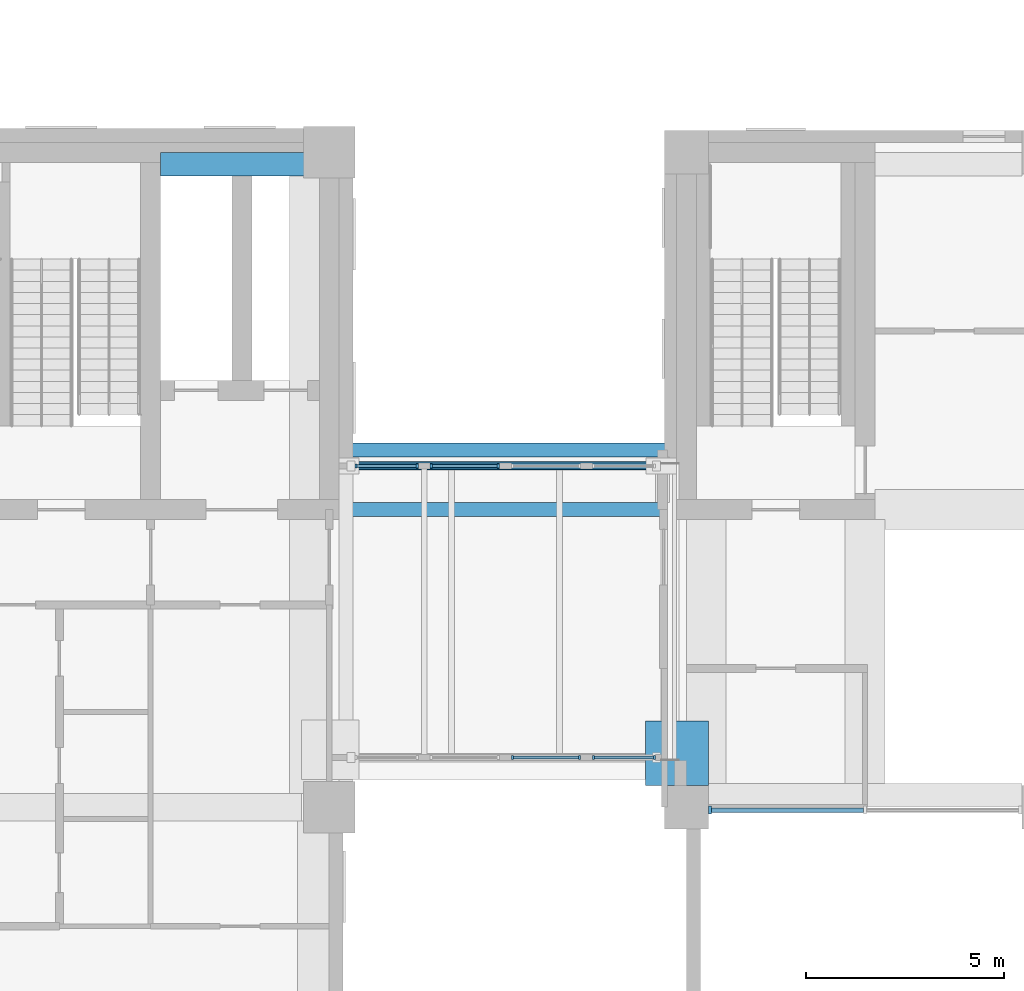
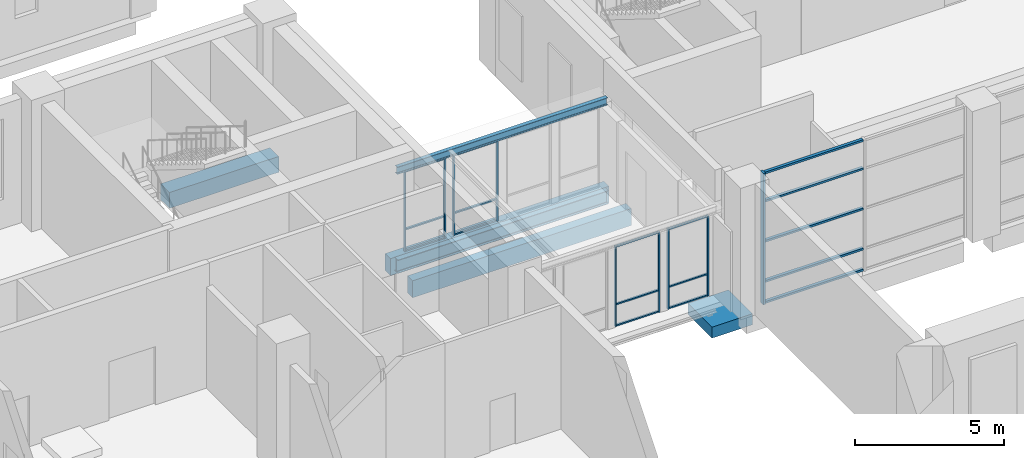
# One storey, part 4 of 52: 27 members, 5 beams, 5 elements without a shape of their own.
"""IFC4 building model written with IfcOpenShell, lengths in metres."""

from ifc_helpers import new_model, si_unit, direction, frame, origin, origin_2d, place, context, subcontext, project, spatial, rectangle, i_section, extrude, material, layer, layer_set, material_profile, profile_set, type_object, element, aggregate, save


model = new_model("IFC4")

# Units and contexts
model_context = context("Model", 3, precision=1e-05, world=origin(), true_north=direction((0.0, 1.0)))
body_context = subcontext(model_context, "Body", "Model", "MODEL_VIEW")
ifc_project = project(units=[si_unit("LENGTHUNIT", "METRE"), si_unit("AREAUNIT", "SQUARE_METRE"), si_unit("VOLUMEUNIT", "CUBIC_METRE"), si_unit("PLANEANGLEUNIT", "RADIAN"), si_unit("MASSUNIT", "GRAM", prefix="KILO")], contexts=[model_context])

# Site, building, storey
site_placement = place(None, origin())
site = spatial("IfcSite", under=ifc_project, at=site_placement, CompositionType="ELEMENT")
building_placement = place(site_placement, origin())
building = spatial("IfcBuilding", under=site, at=building_placement, Name="Aurelan Courthouse", CompositionType="ELEMENT")
storey_placement = place(building_placement, frame((0.0, 0.0, 6.60009765625)))
storey = spatial("IfcBuildingStorey", under=building, at=storey_placement, Name="L01", CompositionType="ELEMENT", Elevation=6.60009765625)

# Beam
ifc_material_1 = material(Name="Steel S355", Category="steel")
ifc_material_profile_1 = material_profile(ifc_material_1, i_section(OverallWidth=0.2099609375, OverallDepth=0.550048828125, WebThickness=0.010986328125, FlangeThickness=0.01708984375, FilletRadius=0.02392578125, at=origin_2d()), Name="IPE 550")
ifc_profile_set_1 = profile_set([ifc_material_profile_1], Name="Steel S355")
beam_type_1 = type_object("IfcBeamType", Name="Bridge girder IPE 550", PredefinedType="BEAM", material=ifc_profile_set_1)
beam_1_placement = place(storey_placement, frame((27.35009765625, 20.60009765625, -0.47509765625), z_axis=(1.0, 0.0, 0.0), x_axis=(0.0, 1.0, 0.0)))
element("IfcBeam", 1, at=beam_1_placement, inside=storey, type_object=beam_type_1, Name="Bridge girder BG-2", PredefinedType="BEAM", context=body_context, shape_type="SweptSolid", body=[
    extrude(i_section(OverallWidth=0.2099609375, OverallDepth=0.550048828125, WebThickness=0.010986328125, FlangeThickness=0.01708984375, FilletRadius=0.02392578125, at=origin_2d()), origin(), (0.0, 0.0, 1.0), 8.1748046875),
])

# Member
ifc_material_2 = material(Name="Concrete C50", Category="concrete")
member_type_1 = type_object("IfcMemberType", Name="Corbel 1575 x 1625 x 450", PredefinedType="USERDEFINED", material=ifc_material_2)
member_1_placement = place(storey_placement, frame((35.762451171875, 13.362548828125, -1.25), z_axis=(0.0, 0.0, 1.0), x_axis=(1.0, 0.0, 0.0)))
element("IfcMember", 2, at=member_1_placement, inside=storey, type_object=member_type_1, Name="Corbel CO-2", ObjectType="CORBEL", PredefinedType="USERDEFINED", context=body_context, shape_type="SweptSolid", body=[
    extrude(rectangle(XDim=1.574951171875, YDim=1.625, at=origin_2d()), origin(), (0.0, 0.0, 1.0), 0.449951171875),
])

# Curtain wall, members
ifc_material_3 = material(Name="Bronze-finished aluminium and glass", Category="aluminium")
ifc_layer_1 = layer(ifc_material_3, 0.14990234375)
ifc_layer_set_1 = layer_set([ifc_layer_1], Name="Bronze-finished aluminium and glass")
curtain_wall_type_1 = type_object("IfcCurtainWallType", Name="Curtain wall 7900 x 5400", PredefinedType="NOTDEFINED", material=ifc_layer_set_1)
curtain_wall_1_placement = place(storey_placement, origin())
curtain_wall_1 = element("IfcCurtainWall", 3, at=curtain_wall_1_placement, inside=storey, type_object=curtain_wall_type_1, Name="Curtain wall CW-V1-L01-S01", PredefinedType="NOTDEFINED")
ifc_material_4 = material(Name="Bronze-finished aluminium", Category="aluminium")
ifc_material_profile_2 = material_profile(ifc_material_4, rectangle(XDim=0.199951171875, YDim=0.080078125, at=origin_2d()), Name="Bronze mullion 80 x 200")
ifc_profile_set_2 = profile_set([ifc_material_profile_2], Name="Bronze-finished aluminium")
member_type_2 = type_object("IfcMemberType", Name="Curtain wall mullion 80 x 200", PredefinedType="MULLION", material=ifc_profile_set_2)
member_2_placement = place(storey_placement, frame((36.590087890625, 11.925048828125, 0.0), z_axis=(0.0, 0.0, 1.0), x_axis=(0.0, 1.0, 0.0)))
member_2 = element("IfcMember", 4, at=member_2_placement, type_object=member_type_2, Name="CW-V1-L01-S01 mullion 1", PredefinedType="MULLION", context=body_context, shape_type="SweptSolid", body=[
    extrude(rectangle(XDim=0.199951171875, YDim=0.080078125, at=origin_2d()), origin(), (0.0, 0.0, 1.0), 5.39990234375),
])
ifc_material_profile_3 = material_profile(ifc_material_4, rectangle(XDim=0.1201171875, YDim=0.080078125, at=origin_2d()), Name="Bronze transom 80 x 120")
ifc_profile_set_3 = profile_set([ifc_material_profile_3], Name="Bronze-finished aluminium")
member_type_3 = type_object("IfcMemberType", Name="Curtain wall transom 80 x 120", PredefinedType="USERDEFINED", material=ifc_profile_set_3)
member_3_placement = place(storey_placement, frame((36.6298828125, 11.925048828125, 0.039794921875), z_axis=(1.0, 0.0, 0.0), x_axis=(0.0, 1.0, 0.0)))
member_3 = element("IfcMember", 5, at=member_3_placement, type_object=member_type_3, Name="CW-V1-L01-S01 transom 1.1", ObjectType="TRANSOM", PredefinedType="USERDEFINED", context=body_context, shape_type="SweptSolid", body=[
    extrude(rectangle(XDim=0.1201171875, YDim=0.080078125, at=origin_2d()), origin(), (0.0, 0.0, 1.0), 3.830078125),
])
member_4_placement = place(storey_placement, frame((36.6298828125, 11.925048828125, 0.89990234375), z_axis=(1.0, 0.0, 0.0), x_axis=(0.0, 1.0, 0.0)))
member_4 = element("IfcMember", 6, at=member_4_placement, type_object=member_type_3, Name="CW-V1-L01-S01 transom 1.2", ObjectType="TRANSOM", PredefinedType="USERDEFINED", context=body_context, shape_type="SweptSolid", body=[
    extrude(rectangle(XDim=0.1201171875, YDim=0.080078125, at=origin_2d()), origin(), (0.0, 0.0, 1.0), 3.830078125),
])
member_5_placement = place(storey_placement, frame((36.6298828125, 11.925048828125, 2.5498046875), z_axis=(1.0, 0.0, 0.0), x_axis=(0.0, 1.0, 0.0)))
member_5 = element("IfcMember", 7, at=member_5_placement, type_object=member_type_3, Name="CW-V1-L01-S01 transom 1.3", ObjectType="TRANSOM", PredefinedType="USERDEFINED", context=body_context, shape_type="SweptSolid", body=[
    extrude(rectangle(XDim=0.1201171875, YDim=0.080078125, at=origin_2d()), origin(), (0.0, 0.0, 1.0), 3.830078125),
])
member_6_placement = place(storey_placement, frame((36.6298828125, 11.925048828125, 4.199951171875), z_axis=(1.0, 0.0, 0.0), x_axis=(0.0, 1.0, 0.0)))
member_6 = element("IfcMember", 8, at=member_6_placement, type_object=member_type_3, Name="CW-V1-L01-S01 transom 1.4", ObjectType="TRANSOM", PredefinedType="USERDEFINED", context=body_context, shape_type="SweptSolid", body=[
    extrude(rectangle(XDim=0.1201171875, YDim=0.080078125, at=origin_2d()), origin(), (0.0, 0.0, 1.0), 3.830078125),
])
member_7_placement = place(storey_placement, frame((36.6298828125, 11.925048828125, 5.35986328125), z_axis=(1.0, 0.0, 0.0), x_axis=(0.0, 1.0, 0.0)))
member_7 = element("IfcMember", 9, at=member_7_placement, type_object=member_type_3, Name="CW-V1-L01-S01 transom 1.5", ObjectType="TRANSOM", PredefinedType="USERDEFINED", context=body_context, shape_type="SweptSolid", body=[
    extrude(rectangle(XDim=0.1201171875, YDim=0.080078125, at=origin_2d()), origin(), (0.0, 0.0, 1.0), 3.830078125),
])
aggregate(curtain_wall_1, [member_2, member_3, member_4, member_5, member_6, member_7])

# Beam
ifc_material_profile_4 = material_profile(ifc_material_1, i_section(OverallWidth=0.14990234375, OverallDepth=0.300048828125, WebThickness=0.007080078125, FlangeThickness=0.0107421875, FilletRadius=0.014892578125, at=origin_2d()), Name="IPE 300")
ifc_profile_set_4 = profile_set([ifc_material_profile_4], Name="Steel S355")
beam_type_2 = type_object("IfcBeamType", Name="Passage edge beam IPE 300", PredefinedType="BEAM", material=ifc_profile_set_4)
beam_2_placement = place(storey_placement, frame((27.35009765625, 20.60009765625, 3.449951171875), z_axis=(1.0, 0.0, 0.0), x_axis=(0.0, 1.0, 0.0)))
element("IfcBeam", 10, at=beam_2_placement, inside=storey, type_object=beam_type_2, Name="Passage edge beam BR1-BB", PredefinedType="BEAM", context=body_context, shape_type="SweptSolid", body=[
    extrude(i_section(OverallWidth=0.14990234375, OverallDepth=0.300048828125, WebThickness=0.007080078125, FlangeThickness=0.0107421875, FilletRadius=0.014892578125, at=origin_2d()), origin(), (0.0, 0.0, 1.0), 8.1748046875),
])

# Curtain wall, members
ifc_layer_2 = layer(ifc_material_3, 0.1201171875)
ifc_layer_set_2 = layer_set([ifc_layer_2], Name="Bronze-finished aluminium and glass")
curtain_wall_type_2 = type_object("IfcCurtainWallType", Name="Passage glazing 1744 x 3300", PredefinedType="NOTDEFINED", material=ifc_layer_set_2)
curtain_wall_2_placement = place(storey_placement, origin())
curtain_wall_2 = element("IfcCurtainWall", 11, at=curtain_wall_2_placement, inside=storey, type_object=curtain_wall_type_2, Name="Curtain wall CW-L01-BR103", PredefinedType="NOTDEFINED")
ifc_material_profile_5 = material_profile(ifc_material_4, rectangle(XDim=0.10009765625, YDim=0.054931640625, at=origin_2d()), Name="Passage glazing mullion 55 x 100")
ifc_profile_set_5 = profile_set([ifc_material_profile_5], Name="Bronze-finished aluminium")
member_type_4 = type_object("IfcMemberType", Name="Passage glazing mullion 55 x 100", PredefinedType="MULLION", material=ifc_profile_set_5)
member_8_placement = place(storey_placement, frame((31.614990234375, 13.25, 0.0), z_axis=(0.0, 0.0, 1.0), x_axis=(0.0, 1.0, 0.0)))
member_8 = element("IfcMember", 12, at=member_8_placement, type_object=member_type_4, Name="CW-L01-BR103 mullion 1", PredefinedType="MULLION", context=body_context, shape_type="SweptSolid", body=[
    extrude(rectangle(XDim=0.10009765625, YDim=0.054931640625, at=origin_2d()), origin(), (0.0, 0.0, 1.0), 3.2998046875),
])
member_9_placement = place(storey_placement, frame((33.3037109375, 13.25, 0.0), z_axis=(0.0, 0.0, 1.0), x_axis=(0.0, 1.0, 0.0)))
member_9 = element("IfcMember", 13, at=member_9_placement, type_object=member_type_4, Name="CW-L01-BR103 mullion 2", PredefinedType="MULLION", context=body_context, shape_type="SweptSolid", body=[
    extrude(rectangle(XDim=0.10009765625, YDim=0.054931640625, at=origin_2d()), origin(), (0.0, 0.0, 1.0), 3.2998046875),
])

ifc_layer_3 = layer(ifc_material_3, 0.1201171875)
ifc_layer_set_3 = layer_set([ifc_layer_3], Name="Bronze-finished aluminium and glass")
curtain_wall_type_3 = type_object("IfcCurtainWallType", Name="Passage glazing 1594 x 3300", PredefinedType="NOTDEFINED", material=ifc_layer_set_3)
curtain_wall_3_placement = place(storey_placement, origin())
curtain_wall_3 = element("IfcCurtainWall", 14, at=curtain_wall_3_placement, inside=storey, type_object=curtain_wall_type_3, Name="Curtain wall CW-L01-BR104", PredefinedType="NOTDEFINED")
member_10_placement = place(storey_placement, frame((33.65869140625, 13.25, 0.0), z_axis=(0.0, 0.0, 1.0), x_axis=(0.0, 1.0, 0.0)))
member_10 = element("IfcMember", 15, at=member_10_placement, type_object=member_type_4, Name="CW-L01-BR104 mullion 1", PredefinedType="MULLION", context=body_context, shape_type="SweptSolid", body=[
    extrude(rectangle(XDim=0.10009765625, YDim=0.054931640625, at=origin_2d()), origin(), (0.0, 0.0, 1.0), 3.2998046875),
])
member_11_placement = place(storey_placement, frame((35.197509765625, 13.25, 0.0), z_axis=(0.0, 0.0, 1.0), x_axis=(0.0, 1.0, 0.0)))
member_11 = element("IfcMember", 16, at=member_11_placement, type_object=member_type_4, Name="CW-L01-BR104 mullion 2", PredefinedType="MULLION", context=body_context, shape_type="SweptSolid", body=[
    extrude(rectangle(XDim=0.10009765625, YDim=0.054931640625, at=origin_2d()), origin(), (0.0, 0.0, 1.0), 3.2998046875),
])

curtain_wall_4_placement = place(storey_placement, origin())
curtain_wall_4 = element("IfcCurtainWall", 17, at=curtain_wall_4_placement, inside=storey, type_object=curtain_wall_type_3, Name="Curtain wall CW-L01-BR105", PredefinedType="NOTDEFINED")
member_12_placement = place(storey_placement, frame((27.677490234375, 20.60009765625, 0.0), z_axis=(0.0, 0.0, 1.0), x_axis=(0.0, 1.0, 0.0)))
member_12 = element("IfcMember", 18, at=member_12_placement, type_object=member_type_4, Name="CW-L01-BR105 mullion 1", PredefinedType="MULLION", context=body_context, shape_type="SweptSolid", body=[
    extrude(rectangle(XDim=0.10009765625, YDim=0.054931640625, at=origin_2d()), origin(), (0.0, 0.0, 1.0), 3.2998046875),
])
member_13_placement = place(storey_placement, frame((29.21630859375, 20.60009765625, 0.0), z_axis=(0.0, 0.0, 1.0), x_axis=(0.0, 1.0, 0.0)))
member_13 = element("IfcMember", 19, at=member_13_placement, type_object=member_type_4, Name="CW-L01-BR105 mullion 2", PredefinedType="MULLION", context=body_context, shape_type="SweptSolid", body=[
    extrude(rectangle(XDim=0.10009765625, YDim=0.054931640625, at=origin_2d()), origin(), (0.0, 0.0, 1.0), 3.2998046875),
])

curtain_wall_5_placement = place(storey_placement, origin())
curtain_wall_5 = element("IfcCurtainWall", 20, at=curtain_wall_5_placement, inside=storey, type_object=curtain_wall_type_2, Name="Curtain wall CW-L01-BR106", PredefinedType="NOTDEFINED")
member_14_placement = place(storey_placement, frame((29.5712890625, 20.60009765625, 0.0), z_axis=(0.0, 0.0, 1.0), x_axis=(0.0, 1.0, 0.0)))
member_14 = element("IfcMember", 21, at=member_14_placement, type_object=member_type_4, Name="CW-L01-BR106 mullion 1", PredefinedType="MULLION", context=body_context, shape_type="SweptSolid", body=[
    extrude(rectangle(XDim=0.10009765625, YDim=0.054931640625, at=origin_2d()), origin(), (0.0, 0.0, 1.0), 3.2998046875),
])
member_15_placement = place(storey_placement, frame((31.260009765625, 20.60009765625, 0.0), z_axis=(0.0, 0.0, 1.0), x_axis=(0.0, 1.0, 0.0)))
member_15 = element("IfcMember", 22, at=member_15_placement, type_object=member_type_4, Name="CW-L01-BR106 mullion 2", PredefinedType="MULLION", context=body_context, shape_type="SweptSolid", body=[
    extrude(rectangle(XDim=0.10009765625, YDim=0.054931640625, at=origin_2d()), origin(), (0.0, 0.0, 1.0), 3.2998046875),
])

# Member
ifc_material_profile_6 = material_profile(ifc_material_4, rectangle(XDim=0.080078125, YDim=0.054931640625, at=origin_2d()), Name="Passage glazing transom 55 x 80")
ifc_profile_set_6 = profile_set([ifc_material_profile_6], Name="Bronze-finished aluminium")
member_type_5 = type_object("IfcMemberType", Name="Passage glazing transom 55 x 80", PredefinedType="USERDEFINED", material=ifc_profile_set_6)
member_16_placement = place(storey_placement, frame((31.642578125, 13.25, 0.02734375), z_axis=(1.0, 0.0, 0.0), x_axis=(0.0, 1.0, 0.0)))
member_16 = element("IfcMember", 23, at=member_16_placement, type_object=member_type_5, Name="CW-L01-BR103 transom 1.1", ObjectType="TRANSOM", PredefinedType="USERDEFINED", context=body_context, shape_type="SweptSolid", body=[
    extrude(rectangle(XDim=0.080078125, YDim=0.054931640625, at=origin_2d()), origin(), (0.0, 0.0, 1.0), 1.6337890625),
])

member_17_placement = place(storey_placement, frame((31.642578125, 13.25, 0.89990234375), z_axis=(1.0, 0.0, 0.0), x_axis=(0.0, 1.0, 0.0)))
member_17 = element("IfcMember", 24, at=member_17_placement, type_object=member_type_5, Name="CW-L01-BR103 transom 1.2", ObjectType="TRANSOM", PredefinedType="USERDEFINED", context=body_context, shape_type="SweptSolid", body=[
    extrude(rectangle(XDim=0.080078125, YDim=0.054931640625, at=origin_2d()), origin(), (0.0, 0.0, 1.0), 1.6337890625),
])

member_18_placement = place(storey_placement, frame((31.642578125, 13.25, 3.2724609375), z_axis=(1.0, 0.0, 0.0), x_axis=(0.0, 1.0, 0.0)))
member_18 = element("IfcMember", 25, at=member_18_placement, type_object=member_type_5, Name="CW-L01-BR103 transom 1.3", ObjectType="TRANSOM", PredefinedType="USERDEFINED", context=body_context, shape_type="SweptSolid", body=[
    extrude(rectangle(XDim=0.080078125, YDim=0.054931640625, at=origin_2d()), origin(), (0.0, 0.0, 1.0), 1.6337890625),
])

aggregate(curtain_wall_2, [member_8, member_9, member_16, member_17, member_18])

member_19_placement = place(storey_placement, frame((33.686279296875, 13.25, 0.02734375), z_axis=(1.0, 0.0, 0.0), x_axis=(0.0, 1.0, 0.0)))
member_19 = element("IfcMember", 26, at=member_19_placement, type_object=member_type_5, Name="CW-L01-BR104 transom 1.1", ObjectType="TRANSOM", PredefinedType="USERDEFINED", context=body_context, shape_type="SweptSolid", body=[
    extrude(rectangle(XDim=0.080078125, YDim=0.054931640625, at=origin_2d()), origin(), (0.0, 0.0, 1.0), 1.483642578125),
])

member_20_placement = place(storey_placement, frame((33.686279296875, 13.25, 0.89990234375), z_axis=(1.0, 0.0, 0.0), x_axis=(0.0, 1.0, 0.0)))
member_20 = element("IfcMember", 27, at=member_20_placement, type_object=member_type_5, Name="CW-L01-BR104 transom 1.2", ObjectType="TRANSOM", PredefinedType="USERDEFINED", context=body_context, shape_type="SweptSolid", body=[
    extrude(rectangle(XDim=0.080078125, YDim=0.054931640625, at=origin_2d()), origin(), (0.0, 0.0, 1.0), 1.483642578125),
])

member_21_placement = place(storey_placement, frame((33.686279296875, 13.25, 3.2724609375), z_axis=(1.0, 0.0, 0.0), x_axis=(0.0, 1.0, 0.0)))
member_21 = element("IfcMember", 28, at=member_21_placement, type_object=member_type_5, Name="CW-L01-BR104 transom 1.3", ObjectType="TRANSOM", PredefinedType="USERDEFINED", context=body_context, shape_type="SweptSolid", body=[
    extrude(rectangle(XDim=0.080078125, YDim=0.054931640625, at=origin_2d()), origin(), (0.0, 0.0, 1.0), 1.483642578125),
])

aggregate(curtain_wall_3, [member_10, member_11, member_19, member_20, member_21])

member_22_placement = place(storey_placement, frame((27.705078125, 20.60009765625, 0.02734375), z_axis=(1.0, 0.0, 0.0), x_axis=(0.0, 1.0, 0.0)))
member_22 = element("IfcMember", 29, at=member_22_placement, type_object=member_type_5, Name="CW-L01-BR105 transom 1.1", ObjectType="TRANSOM", PredefinedType="USERDEFINED", context=body_context, shape_type="SweptSolid", body=[
    extrude(rectangle(XDim=0.080078125, YDim=0.054931640625, at=origin_2d()), origin(), (0.0, 0.0, 1.0), 1.483642578125),
])

member_23_placement = place(storey_placement, frame((27.705078125, 20.60009765625, 0.89990234375), z_axis=(1.0, 0.0, 0.0), x_axis=(0.0, 1.0, 0.0)))
member_23 = element("IfcMember", 30, at=member_23_placement, type_object=member_type_5, Name="CW-L01-BR105 transom 1.2", ObjectType="TRANSOM", PredefinedType="USERDEFINED", context=body_context, shape_type="SweptSolid", body=[
    extrude(rectangle(XDim=0.080078125, YDim=0.054931640625, at=origin_2d()), origin(), (0.0, 0.0, 1.0), 1.483642578125),
])

member_24_placement = place(storey_placement, frame((27.705078125, 20.60009765625, 3.2724609375), z_axis=(1.0, 0.0, 0.0), x_axis=(0.0, 1.0, 0.0)))
member_24 = element("IfcMember", 31, at=member_24_placement, type_object=member_type_5, Name="CW-L01-BR105 transom 1.3", ObjectType="TRANSOM", PredefinedType="USERDEFINED", context=body_context, shape_type="SweptSolid", body=[
    extrude(rectangle(XDim=0.080078125, YDim=0.054931640625, at=origin_2d()), origin(), (0.0, 0.0, 1.0), 1.483642578125),
])

aggregate(curtain_wall_4, [member_12, member_13, member_22, member_23, member_24])

member_25_placement = place(storey_placement, frame((29.5986328125, 20.60009765625, 0.02734375), z_axis=(1.0, 0.0, 0.0), x_axis=(0.0, 1.0, 0.0)))
member_25 = element("IfcMember", 32, at=member_25_placement, type_object=member_type_5, Name="CW-L01-BR106 transom 1.1", ObjectType="TRANSOM", PredefinedType="USERDEFINED", context=body_context, shape_type="SweptSolid", body=[
    extrude(rectangle(XDim=0.080078125, YDim=0.054931640625, at=origin_2d()), origin(), (0.0, 0.0, 1.0), 1.6337890625),
])

member_26_placement = place(storey_placement, frame((29.5986328125, 20.60009765625, 0.89990234375), z_axis=(1.0, 0.0, 0.0), x_axis=(0.0, 1.0, 0.0)))
member_26 = element("IfcMember", 33, at=member_26_placement, type_object=member_type_5, Name="CW-L01-BR106 transom 1.2", ObjectType="TRANSOM", PredefinedType="USERDEFINED", context=body_context, shape_type="SweptSolid", body=[
    extrude(rectangle(XDim=0.080078125, YDim=0.054931640625, at=origin_2d()), origin(), (0.0, 0.0, 1.0), 1.6337890625),
])

member_27_placement = place(storey_placement, frame((29.5986328125, 20.60009765625, 3.2724609375), z_axis=(1.0, 0.0, 0.0), x_axis=(0.0, 1.0, 0.0)))
member_27 = element("IfcMember", 34, at=member_27_placement, type_object=member_type_5, Name="CW-L01-BR106 transom 1.3", ObjectType="TRANSOM", PredefinedType="USERDEFINED", context=body_context, shape_type="SweptSolid", body=[
    extrude(rectangle(XDim=0.080078125, YDim=0.054931640625, at=origin_2d()), origin(), (0.0, 0.0, 1.0), 1.6337890625),
])

aggregate(curtain_wall_5, [member_14, member_15, member_25, member_26, member_27])

# Beams
ifc_material_profile_7 = material_profile(ifc_material_2, rectangle(XDim=0.60009765625, YDim=0.64990234375, at=origin_2d()), Name="RC 600 x 650")
ifc_profile_set_7 = profile_set([ifc_material_profile_7], Name="Concrete C50")
beam_type_3 = type_object("IfcBeamType", Name="RC spandrel beam 600 x 650", PredefinedType="SPANDREL", material=ifc_profile_set_7)
beam_3_placement = place(storey_placement, frame((22.75, 28.199951171875, -0.625), z_axis=(1.0, 0.0, 0.0), x_axis=(0.0, 1.0, 0.0)))
element("IfcBeam", 35, at=beam_3_placement, inside=storey, type_object=beam_type_3, Name="Spandrel beam SB-C-3-4", PredefinedType="SPANDREL", context=body_context, shape_type="SweptSolid", body=[
    extrude(rectangle(XDim=0.60009765625, YDim=0.64990234375, at=origin_2d()), origin(), (0.0, 0.0, 1.0), 4.25),
])
ifc_material_5 = material(Name="Concrete C40", Category="concrete")
ifc_material_profile_8 = material_profile(ifc_material_5, rectangle(XDim=0.35009765625, YDim=0.699951171875, at=origin_2d()), Name="RC 350 x 700")
ifc_profile_set_8 = profile_set([ifc_material_profile_8], Name="Concrete C40")
beam_type_4 = type_object("IfcBeamType", Name="RC wall beam 350 x 700", PredefinedType="BEAM", material=ifc_profile_set_8)
for number, where, z_axis, x_axis, name in (
    (36, (27.25, 19.5, -0.650146484375), (1.0, 0.0, 0.0), (0.0, 1.0, 0.0), "Wall beam WB-L01-001"),
    (37, (27.25, 21.0, -0.650146484375), (1.0, 0.0, 0.0), (0.0, 1.0, 0.0), "Wall beam WB-L01-002"),
):
    element("IfcBeam", number, at=place(storey_placement, frame(where, z_axis=z_axis, x_axis=x_axis)), inside=storey, type_object=beam_type_4, Name=name, PredefinedType="BEAM", context=body_context, shape_type="SweptSolid", body=[
        extrude(rectangle(XDim=0.35009765625, YDim=0.699951171875, at=origin_2d()), origin(), (0.0, 0.0, 1.0), 8.5),
    ])

save(model, "model.ifc")
